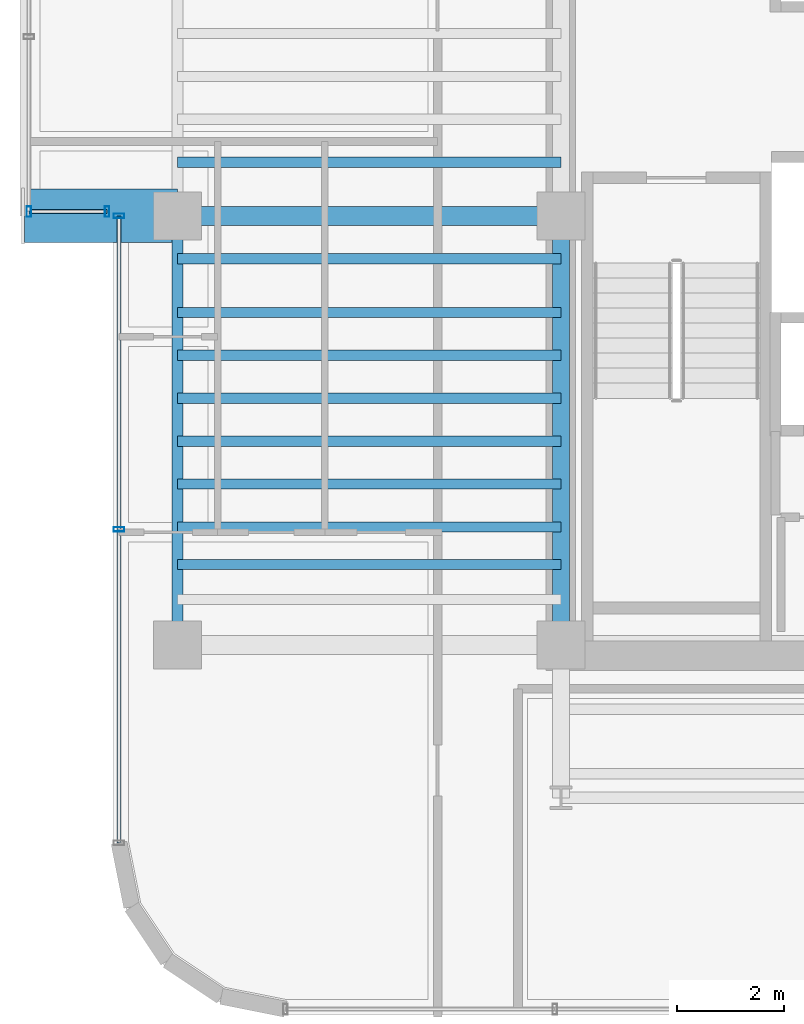
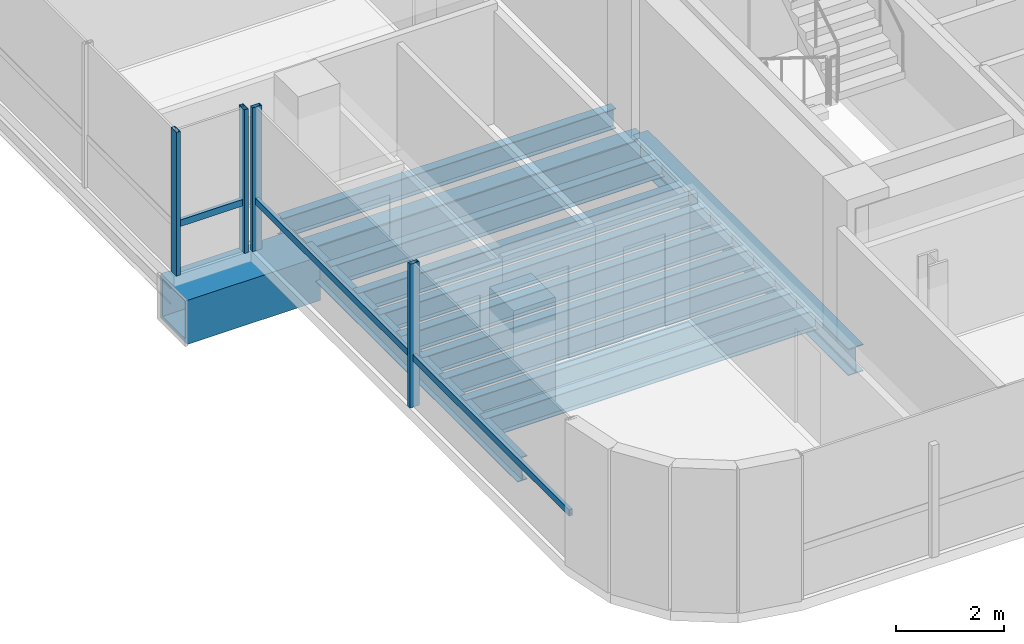
# One storey, part 4 of 22: 13 beams, 6 members, 2 elements without a shape of their own.
"""IFC4 building model written with IfcOpenShell, lengths in metres."""

from ifc_helpers import new_model, si_unit, direction, frame, origin, origin_2d, place, context, subcontext, project, spatial, hollow_rectangle, i_section, extrude, source, transform, mapped, material, material_profile, profile_set, type_object, element, aggregate, save


model = new_model("IFC4")

# Units and contexts
model_context = context("Model", 3, precision=1e-05, world=origin(), true_north=direction((0.0, 1.0)))
body_context = subcontext(model_context, "Body", "Model", "MODEL_VIEW")
ifc_project = project(units=[si_unit("LENGTHUNIT", "METRE"), si_unit("AREAUNIT", "SQUARE_METRE"), si_unit("VOLUMEUNIT", "CUBIC_METRE"), si_unit("PLANEANGLEUNIT", "RADIAN"), si_unit("MASSUNIT", "GRAM", prefix="KILO")], contexts=[model_context])

# Site, building, storey
site_placement = place(None, origin())
site = spatial("IfcSite", under=ifc_project, at=site_placement, CompositionType="ELEMENT")
building_placement = place(site_placement, origin())
building = spatial("IfcBuilding", under=site, at=building_placement, Name="Valdorenza Pilgrim Sanctuary Tower", CompositionType="ELEMENT")
storey_placement = place(building_placement, frame((0.0, 0.0, 209.0)))
storey = spatial("IfcBuildingStorey", under=building, at=storey_placement, Name="L53", CompositionType="ELEMENT", Elevation=209.0)

# Beams
ifc_material_1 = material(Name="Steel ASTM A992 Grade 50", Category="steel")
ifc_material_profile_1 = material_profile(ifc_material_1, i_section(OverallWidth=0.323974609375, OverallDepth=0.611083984375, WebThickness=0.0126953125, FlangeThickness=0.01904296875, at=origin_2d()), Name="W24X104")
ifc_profile_set_1 = profile_set([ifc_material_profile_1], Name="Steel ASTM A992 Grade 50")
beam_type_1 = type_object("IfcBeamType", Name="STR-BM-GRD-W24B", PredefinedType="BEAM", material=ifc_profile_set_1)
shared_shape_1 = source(origin(), body_context, "Body", "SweptSolid", [
    extrude(i_section(OverallWidth=0.323974609375, OverallDepth=0.611083984375, WebThickness=0.0126953125, FlangeThickness=0.01904296875, at=origin_2d()), origin(), (0.0, 0.0, 1.0), 8.0),
])
beam_1_placement = place(storey_placement, frame((-22.64990234375, -10.60009765625, -0.54541015625), z_axis=(0.0, 1.0, 0.0), x_axis=(-1.0, 0.0, 0.0)))
element("IfcBeam", 1, at=beam_1_placement, inside=storey, type_object=beam_type_1, Name="L53 Core Tie Girder CA-W-S1M0", PredefinedType="BEAM", context=body_context, shape_type="MappedRepresentation", body=[
    mapped(shared_shape_1, transform((0.0, 0.0, 0.0), x_axis=(1.0, 0.0, 0.0), y_axis=(0.0, 1.0, 0.0), z_axis=(0.0, 0.0, 1.0), scale=1.0)),
])
ifc_material_profile_2 = material_profile(ifc_material_1, i_section(OverallWidth=0.19091796875, OverallDepth=0.45703125, WebThickness=0.009033203125, FlangeThickness=0.014404296875, at=origin_2d()), Name="W18X50")
ifc_profile_set_2 = profile_set([ifc_material_profile_2], Name="Steel ASTM A992 Grade 50")
beam_type_2 = type_object("IfcBeamType", Name="STR-BM-JST-W18B", PredefinedType="JOIST", material=ifc_profile_set_2)
shared_shape_2 = source(origin(), body_context, "Body", "SweptSolid", [
    extrude(i_section(OverallWidth=0.19091796875, OverallDepth=0.45703125, WebThickness=0.009033203125, FlangeThickness=0.014404296875, at=origin_2d()), origin(), (0.0, 0.0, 1.0), 7.150146484375),
])
for number, where, z_axis, x_axis, name in (
    (2, (-29.800048828125, -9.10009765625, -0.468505859375), (1.0, 0.0, 0.0), (0.0, 1.0, 0.0), "L53 Composite Floor Joist JST-WA-2"),
    (3, (-29.800048828125, -8.39990234375, -0.468505859375), (1.0, 0.0, 0.0), (0.0, 1.0, 0.0), "L53 Composite Floor Joist JST-WA-3"),
    (4, (-29.800048828125, -7.60009765625, -0.468505859375), (1.0, 0.0, 0.0), (0.0, 1.0, 0.0), "L53 Composite Floor Joist JST-WA-4"),
    (5, (-29.800048828125, -6.800048828125, -0.468505859375), (1.0, 0.0, 0.0), (0.0, 1.0, 0.0), "L53 Composite Floor Joist JST-WA-5"),
    (6, (-29.800048828125, -6.0, -0.468505859375), (1.0, 0.0, 0.0), (0.0, 1.0, 0.0), "L53 Composite Floor Joist JST-WA-6"),
    (7, (-29.800048828125, -5.199951171875, -0.468505859375), (1.0, 0.0, 0.0), (0.0, 1.0, 0.0), "L53 Composite Floor Joist JST-WA-7"),
    (8, (-29.800048828125, -4.39990234375, -0.468505859375), (1.0, 0.0, 0.0), (0.0, 1.0, 0.0), "L53 Composite Floor Joist JST-WA-8"),
    (9, (-29.800048828125, -3.39990234375, -0.468505859375), (1.0, 0.0, 0.0), (0.0, 1.0, 0.0), "L53 Composite Floor Joist JST-WA-9"),
    (10, (-29.800048828125, -1.60009765625, -0.468505859375), (1.0, 0.0, 0.0), (0.0, 1.0, 0.0), "L53 Composite Floor Joist JST-WA-10"),
):
    element("IfcBeam", number, at=place(storey_placement, frame(where, z_axis=z_axis, x_axis=x_axis)), inside=storey, type_object=beam_type_2, Name=name, PredefinedType="JOIST", context=body_context, shape_type="MappedRepresentation", body=[
        mapped(shared_shape_2, transform((0.0, 0.0, 0.0), x_axis=(1.0, 0.0, 0.0), y_axis=(0.0, 1.0, 0.0), z_axis=(0.0, 0.0, 1.0), scale=1.0)),
    ])
ifc_material_2 = material(Name="Steel ASTM A572 Grade 42", Category="steel")
ifc_material_profile_3 = material_profile(ifc_material_2, hollow_rectangle(XDim=1.0, YDim=1.0, WallThickness=0.080078125, at=origin_2d()), Name="BOX 1000x1000x80")
ifc_profile_set_3 = profile_set([ifc_material_profile_3], Name="Steel ASTM A572 Grade 42")
beam_type_3 = type_object("IfcBeamType", Name="STR-BM-PROW-CANT", PredefinedType="BEAM", material=ifc_profile_set_3)
shared_shape_3 = source(origin(), body_context, "Body", "SweptSolid", [
    extrude(hollow_rectangle(XDim=1.0, YDim=1.0, WallThickness=0.080078125, at=origin_2d()), origin(), (0.0, 0.0, 1.0), 2.849853515625),
])
beam_2_placement = place(storey_placement, frame((-29.800048828125, -2.60009765625, -0.739990234375), z_axis=(-1.0, 0.0, 0.0), x_axis=(0.0, -1.0, 0.0)))
element("IfcBeam", 11, at=beam_2_placement, inside=storey, type_object=beam_type_3, Name="L53 Glass Box Cantilever Beam BOX-WA-L53-CT-S", PredefinedType="BEAM", context=body_context, shape_type="MappedRepresentation", body=[
    mapped(shared_shape_3, transform((0.0, 0.0, 0.0), x_axis=(1.0, 0.0, 0.0), y_axis=(0.0, 1.0, 0.0), z_axis=(0.0, 0.0, 1.0), scale=1.0)),
])
ifc_material_profile_4 = material_profile(ifc_material_1, i_section(OverallWidth=0.2109375, OverallDepth=0.5390625, WebThickness=0.01171875, FlangeThickness=0.018798828125, at=origin_2d()), Name="W21X73")
ifc_profile_set_4 = profile_set([ifc_material_profile_4], Name="Steel ASTM A992 Grade 50")
beam_type_4 = type_object("IfcBeamType", Name="STR-BM-SPN-W21B", PredefinedType="SPANDREL", material=ifc_profile_set_4)
shared_shape_4 = source(origin(), body_context, "Body", "SweptSolid", [
    extrude(i_section(OverallWidth=0.2109375, OverallDepth=0.5390625, WebThickness=0.01171875, FlangeThickness=0.018798828125, at=origin_2d()), origin(), (0.0, 0.0, 1.0), 8.0),
])
beam_3_placement = place(storey_placement, frame((-29.800048828125, -10.60009765625, -0.509521484375), z_axis=(0.0, 1.0, 0.0), x_axis=(-1.0, 0.0, 0.0)))
element("IfcBeam", 12, at=beam_3_placement, inside=storey, type_object=beam_type_4, Name="L53 Spandrel Beam WA-W-S1M0", PredefinedType="SPANDREL", context=body_context, shape_type="MappedRepresentation", body=[
    mapped(shared_shape_4, transform((0.0, 0.0, 0.0), x_axis=(1.0, 0.0, 0.0), y_axis=(0.0, 1.0, 0.0), z_axis=(0.0, 0.0, 1.0), scale=1.0)),
])
ifc_material_profile_5 = material_profile(ifc_material_1, i_section(OverallWidth=0.35595703125, OverallDepth=0.700927734375, WebThickness=0.016845703125, FlangeThickness=0.02734375, at=origin_2d()), Name="W27X161")
ifc_profile_set_5 = profile_set([ifc_material_profile_5], Name="Steel ASTM A992 Grade 50")
beam_type_5 = type_object("IfcBeamType", Name="STR-BM-GRD-W27", PredefinedType="BEAM", material=ifc_profile_set_5)
shared_shape_5 = source(origin(), body_context, "Body", "SweptSolid", [
    extrude(i_section(OverallWidth=0.35595703125, OverallDepth=0.700927734375, WebThickness=0.016845703125, FlangeThickness=0.02734375, at=origin_2d()), origin(), (0.0, 0.0, 1.0), 7.150146484375),
])
beam_4_placement = place(storey_placement, frame((-29.800048828125, -2.60009765625, -0.590576171875), z_axis=(1.0, 0.0, 0.0), x_axis=(0.0, 1.0, 0.0)))
element("IfcBeam", 13, at=beam_4_placement, inside=storey, type_object=beam_type_5, Name="L53 Floor Girder WA-XW-M0", PredefinedType="BEAM", context=body_context, shape_type="MappedRepresentation", body=[
    mapped(shared_shape_5, transform((0.0, 0.0, 0.0), x_axis=(1.0, 0.0, 0.0), y_axis=(0.0, 1.0, 0.0), z_axis=(0.0, 0.0, 1.0), scale=1.0)),
])

# Curtain wall, member
ifc_material_3 = material(Name="Curtain-wall IGU glazing", Category="glass")
curtain_wall_type = type_object("IfcCurtainWallType", Name="CW-SYS-02", PredefinedType="NOTDEFINED", material=ifc_material_3)
curtain_wall_1_placement = place(storey_placement, origin())
curtain_wall_1 = element("IfcCurtainWall", 14, at=curtain_wall_1_placement, inside=storey, type_object=curtain_wall_type, Name="L53 Curtain Wall CW-L53-BOX-WA-L53-S", PredefinedType="NOTDEFINED")
ifc_material_4 = material(Name="Anodised aluminium AW-6060", Category="aluminium")
ifc_material_profile_6 = material_profile(ifc_material_4, hollow_rectangle(XDim=0.074951171875, YDim=0.14990234375, WallThickness=0.00390625, at=origin_2d()), Name="ALU-T 150x75x4")
ifc_profile_set_6 = profile_set([ifc_material_profile_6], Name="Anodised aluminium AW-6060")
member_type_1 = type_object("IfcMemberType", Name="CW-TRN-02", PredefinedType="USERDEFINED", material=ifc_profile_set_6)
shared_shape_6 = source(origin(), body_context, "Body", "SweptSolid", [
    extrude(hollow_rectangle(XDim=0.074951171875, YDim=0.14990234375, WallThickness=0.00390625, at=origin_2d()), origin(), (0.0, 0.0, 1.0), 1.4599609375),
])
member_1_placement = place(storey_placement, frame((-31.110107421875, -2.52001953125, 1.1201171875), z_axis=(-1.0, 0.0, 0.0), x_axis=(0.0, -1.0, 0.0)))
member_1 = element("IfcMember", 15, at=member_1_placement, type_object=member_type_1, Name="CW-L53-BOX-WA-L53-S Transom 1", ObjectType="TRANSOM", PredefinedType="USERDEFINED", context=body_context, shape_type="MappedRepresentation", body=[
    mapped(shared_shape_6, transform((0.0, 0.0, 0.0), x_axis=(1.0, 0.0, 0.0), y_axis=(0.0, 1.0, 0.0), z_axis=(0.0, 0.0, 1.0), scale=1.0)),
])

# Curtain wall, members
curtain_wall_2_placement = place(storey_placement, origin())
curtain_wall_2 = element("IfcCurtainWall", 16, at=curtain_wall_2_placement, inside=storey, type_object=curtain_wall_type, Name="L53 Curtain Wall CW-L53-1-1S1", PredefinedType="NOTDEFINED")
shared_shape_7 = source(origin(), body_context, "Body", "SweptSolid", [
    extrude(hollow_rectangle(XDim=0.074951171875, YDim=0.14990234375, WallThickness=0.00390625, at=origin_2d()), origin(), (0.0, 0.0, 1.0), 11.689208984375),
])
member_2_placement = place(storey_placement, frame((-30.889892578125, -14.289306640625, 1.1201171875), z_axis=(0.0, 1.0, 0.0), x_axis=(-1.0, 0.0, 0.0)))
member_2 = element("IfcMember", 17, at=member_2_placement, type_object=member_type_1, Name="CW-L53-1-1S1 Transom 1", ObjectType="TRANSOM", PredefinedType="USERDEFINED", context=body_context, shape_type="MappedRepresentation", body=[
    mapped(shared_shape_7, transform((0.0, 0.0, 0.0), x_axis=(1.0, 0.0, 0.0), y_axis=(0.0, 1.0, 0.0), z_axis=(0.0, 0.0, 1.0), scale=1.0)),
])
ifc_material_profile_7 = material_profile(ifc_material_4, hollow_rectangle(XDim=0.0849609375, YDim=0.199951171875, WallThickness=0.0048828125, at=origin_2d()), Name="ALU-M 200x85x5")
ifc_profile_set_7 = profile_set([ifc_material_profile_7], Name="Anodised aluminium AW-6060")
member_type_2 = type_object("IfcMemberType", Name="CW-MUL-02", PredefinedType="MULLION", material=ifc_profile_set_7)
shared_shape_8 = source(origin(), body_context, "Body", "SweptSolid", [
    extrude(hollow_rectangle(XDim=0.0849609375, YDim=0.199951171875, WallThickness=0.0048828125, at=origin_2d()), origin(), (0.0, 0.0, 1.0), 3.260009765625),
])
member_3_placement = place(storey_placement, frame((-30.889892578125, -8.444580078125, 0.0), z_axis=(0.0, 0.0, 1.0), x_axis=(0.0, 1.0, 0.0)))
member_3 = element("IfcMember", 18, at=member_3_placement, type_object=member_type_2, Name="CW-L53-1-1S1 Mullion 2", PredefinedType="MULLION", context=body_context, shape_type="MappedRepresentation", body=[
    mapped(shared_shape_8, transform((0.0, 0.0, 0.0), x_axis=(1.0, 0.0, 0.0), y_axis=(0.0, 1.0, 0.0), z_axis=(0.0, 0.0, 1.0), scale=1.0)),
])
member_4_placement = place(storey_placement, frame((-30.889892578125, -2.60009765625, 0.0), z_axis=(0.0, 0.0, 1.0), x_axis=(0.0, 1.0, 0.0)))
member_4 = element("IfcMember", 19, at=member_4_placement, type_object=member_type_2, Name="CW-L53-1-1S1 Mullion 3", PredefinedType="MULLION", context=body_context, shape_type="MappedRepresentation", body=[
    mapped(shared_shape_8, transform((0.0, 0.0, 0.0), x_axis=(1.0, 0.0, 0.0), y_axis=(0.0, 1.0, 0.0), z_axis=(0.0, 0.0, 1.0), scale=1.0)),
])
aggregate(curtain_wall_2, [member_3, member_4, member_2])

# Member
member_5_placement = place(storey_placement, frame((-31.110107421875, -2.52001953125, 0.0), z_axis=(0.0, 0.0, 1.0), x_axis=(-1.0, 0.0, 0.0)))
member_5 = element("IfcMember", 20, at=member_5_placement, type_object=member_type_2, Name="CW-L53-BOX-WA-L53-S Mullion 1", PredefinedType="MULLION", context=body_context, shape_type="MappedRepresentation", body=[
    mapped(shared_shape_8, transform((0.0, 0.0, 0.0), x_axis=(1.0, 0.0, 0.0), y_axis=(0.0, 1.0, 0.0), z_axis=(0.0, 0.0, 1.0), scale=1.0)),
])

member_6_placement = place(storey_placement, frame((-32.570068359375, -2.52001953125, 0.0), z_axis=(0.0, 0.0, 1.0), x_axis=(-1.0, 0.0, 0.0)))
member_6 = element("IfcMember", 21, at=member_6_placement, type_object=member_type_2, Name="CW-L53-BOX-WA-L53-S Mullion 2", PredefinedType="MULLION", context=body_context, shape_type="MappedRepresentation", body=[
    mapped(shared_shape_8, transform((0.0, 0.0, 0.0), x_axis=(1.0, 0.0, 0.0), y_axis=(0.0, 1.0, 0.0), z_axis=(0.0, 0.0, 1.0), scale=1.0)),
])

aggregate(curtain_wall_1, [member_5, member_6, member_1])

save(model, "model.ifc")
